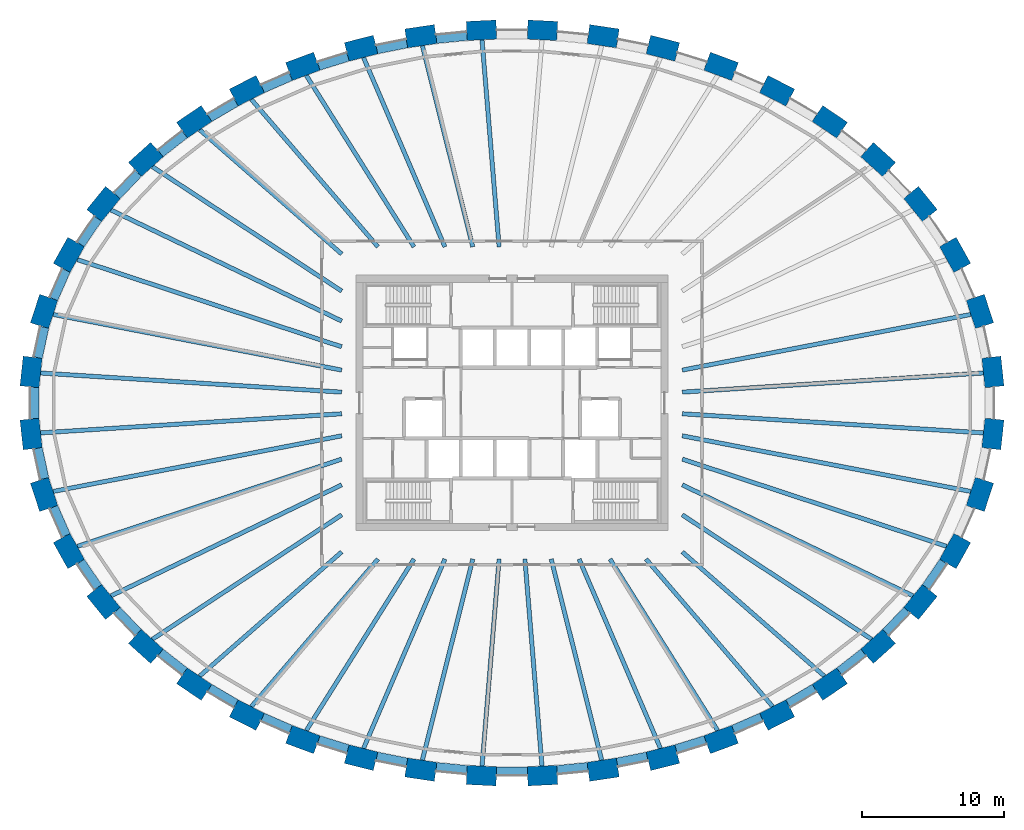
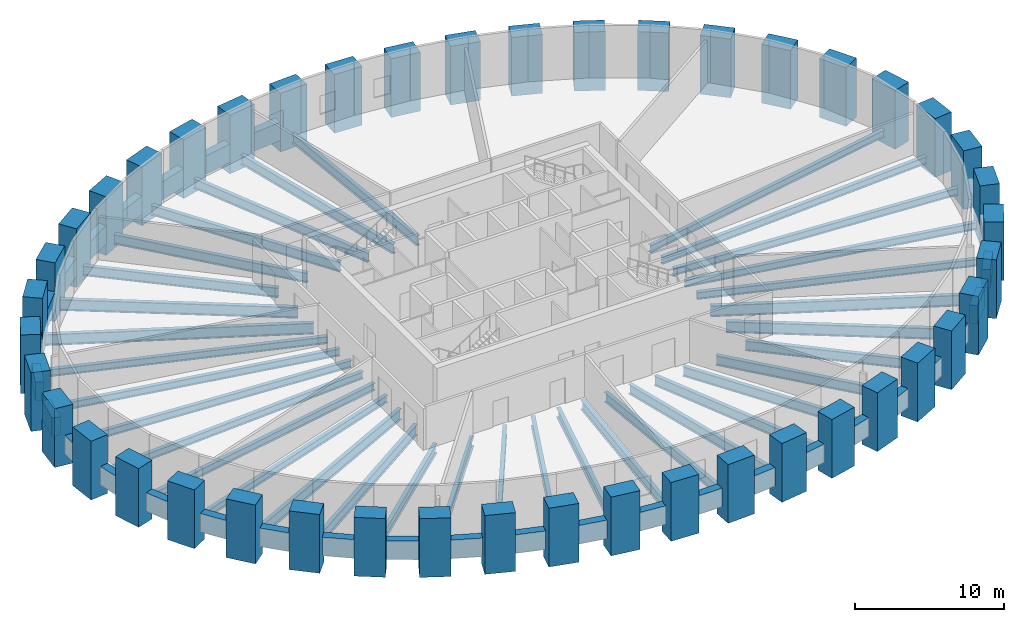
# One storey, part 1 of 8: 65 beams, 44 columns.
"""IFC4 building model written with IfcOpenShell, lengths in metres."""

from ifc_helpers import new_model, si_unit, direction, frame, origin, origin_2d, place, context, subcontext, project, spatial, rectangle, i_section, extrude, source, transform, mapped, material, material_profile, profile_set, type_object, element, save


model = new_model("IFC4")

# Units and contexts
model_context = context("Model", 3, precision=1e-05, world=origin(), true_north=direction((0.0, 1.0)))
body_context = subcontext(model_context, "Body", "Model", "MODEL_VIEW")
ifc_project = project(units=[si_unit("LENGTHUNIT", "METRE"), si_unit("AREAUNIT", "SQUARE_METRE"), si_unit("VOLUMEUNIT", "CUBIC_METRE"), si_unit("PLANEANGLEUNIT", "RADIAN"), si_unit("MASSUNIT", "GRAM", prefix="KILO")], contexts=[model_context])

# Site, building, storey
site_placement = place(None, origin())
site = spatial("IfcSite", under=ifc_project, at=site_placement, CompositionType="ELEMENT")
building_placement = place(site_placement, origin())
building = spatial("IfcBuilding", under=site, at=building_placement, Name="Embergate Tower", CompositionType="ELEMENT")
storey_placement = place(building_placement, frame((0.0, 0.0, 241.60009765625)))
storey = spatial("IfcBuildingStorey", under=building, at=storey_placement, Name="L55", CompositionType="ELEMENT", Elevation=241.60009765625)

# Columns
ifc_material_1 = material(Name="Concrete C60", Category="concrete")
ifc_material_profile_1 = material_profile(ifc_material_1, rectangle(XDim=1.35009765625, YDim=2.10009765625, at=origin_2d()), Name="RC 1350x2100")
ifc_profile_set_1 = profile_set([ifc_material_profile_1], Name="Concrete C60")
column_type = type_object("IfcColumnType", Name="Ring column RC 1350x2100 C60", PredefinedType="COLUMN", material=ifc_profile_set_1)
shared_shape_1 = source(origin(), body_context, "Body", "SweptSolid", [
    extrude(rectangle(XDim=1.35009765625, YDim=2.10009765625, at=origin_2d()), origin(), (0.0, 0.0, 1.0), 4.800048828125),
])
for number, where, z_axis, x_axis, name in (
    (1, (33.885986328125, 2.181884765625, -1.7001953125), (0.0, 0.0, 1.0), (0.99428589498, 0.106749983816, 0.0), "COL-L55-00"),
    (2, (32.968994140625, 6.445068359375, -1.7001953125), (0.0, 0.0, 1.0), (0.950754033697, 0.309946394413, 0.0), "COL-L55-01"),
    (3, (31.220947265625, 10.430908203125, -1.7001953125), (0.0, 0.0, 1.0), (0.873491969053, 0.486838556403, 0.0), "COL-L55-02"),
    (4, (28.781005859375, 14.02001953125, -1.7001953125), (0.0, 0.0, 1.0), (0.775925311702, 0.630824786022, 0.0), "COL-L55-03"),
    (5, (25.7939453125, 17.152099609375, -1.7001953125), (0.0, 0.0, 1.0), (0.669208424634, 0.74307475021, 0.0), "COL-L55-04"),
    (6, (22.389892578125, 19.80908203125, -1.7001953125), (0.0, 0.0, 1.0), (0.560393279442, 0.828226643109, 0.0), "COL-L55-05"),
    (7, (18.675048828125, 21.992919921875, -1.7001953125), (0.0, 0.0, 1.0), (0.453010512651, 0.891505174089, 0.0), "COL-L55-06"),
    (8, (14.73291015625, 23.717041015625, -1.7001953125), (0.0, 0.0, 1.0), (0.348343015724, 0.93736713373, 0.0), "COL-L55-07"),
    (9, (10.62890625, 24.9951171875, -1.7001953125), (0.0, 0.0, 1.0), (0.24650851817, 0.969140624713, 0.0), "COL-L55-08"),
    (10, (6.41796875, 25.840087890625, -1.7001953125), (0.0, 0.0, 1.0), (0.146929011949, 0.989147039346, 0.0), "COL-L55-09"),
    (11, (2.14599609375, 26.260009765625, -1.7001953125), (0.0, 0.0, 1.0), (0.048814904854, 0.998807841912, 0.0), "COL-L55-10"),
    (12, (-2.14599609375, 26.260009765625, -1.7001953125), (0.0, 0.0, 1.0), (-0.048814904854, 0.998807841912, 0.0), "COL-L55-11"),
    (13, (-6.41796875, 25.840087890625, -1.7001953125), (0.0, 0.0, 1.0), (-0.146929011949, 0.989147039346, 0.0), "COL-L55-12"),
    (14, (-10.62890625, 24.9951171875, -1.7001953125), (0.0, 0.0, 1.0), (-0.24650851817, 0.969140624713, 0.0), "COL-L55-13"),
    (15, (-14.73291015625, 23.717041015625, -1.7001953125), (0.0, 0.0, 1.0), (-0.348343015724, 0.93736713373, 0.0), "COL-L55-14"),
    (16, (-18.675048828125, 21.992919921875, -1.7001953125), (0.0, 0.0, 1.0), (-0.453010512651, 0.891505174089, 0.0), "COL-L55-15"),
    (17, (-22.389892578125, 19.80908203125, -1.7001953125), (0.0, 0.0, 1.0), (-0.560393279442, 0.828226643109, 0.0), "COL-L55-16"),
    (18, (-25.7939453125, 17.152099609375, -1.7001953125), (0.0, 0.0, 1.0), (-0.669208424634, 0.74307475021, 0.0), "COL-L55-17"),
    (19, (-28.781005859375, 14.02001953125, -1.7001953125), (0.0, 0.0, 1.0), (-0.775925311702, 0.630824786022, 0.0), "COL-L55-18"),
    (20, (-31.220947265625, 10.430908203125, -1.7001953125), (0.0, 0.0, 1.0), (-0.873491969053, 0.486838556403, 0.0), "COL-L55-19"),
    (21, (-32.968994140625, 6.445068359375, -1.7001953125), (0.0, 0.0, 1.0), (-0.950754033697, 0.309946394413, 0.0), "COL-L55-20"),
    (22, (-33.885986328125, 2.181884765625, -1.7001953125), (0.0, 0.0, 1.0), (-0.99428589498, 0.106749983816, 0.0), "COL-L55-21"),
    (23, (-33.885986328125, -2.181884765625, -1.7001953125), (0.0, 0.0, 1.0), (-0.99428589498, -0.106749983816, 0.0), "COL-L55-22"),
    (24, (-32.968994140625, -6.445068359375, -1.7001953125), (0.0, 0.0, 1.0), (-0.950754033697, -0.309946394413, 0.0), "COL-L55-23"),
    (25, (-31.220947265625, -10.430908203125, -1.7001953125), (0.0, 0.0, 1.0), (-0.873491969053, -0.486838556403, 0.0), "COL-L55-24"),
    (26, (-28.781005859375, -14.02001953125, -1.7001953125), (0.0, 0.0, 1.0), (-0.775925311702, -0.630824786022, 0.0), "COL-L55-25"),
    (27, (-25.7939453125, -17.152099609375, -1.7001953125), (0.0, 0.0, 1.0), (-0.669208424634, -0.74307475021, 0.0), "COL-L55-26"),
    (28, (-22.389892578125, -19.80908203125, -1.7001953125), (0.0, 0.0, 1.0), (-0.560393279442, -0.828226643109, 0.0), "COL-L55-27"),
    (29, (-18.675048828125, -21.992919921875, -1.7001953125), (0.0, 0.0, 1.0), (-0.453010512651, -0.891505174089, 0.0), "COL-L55-28"),
    (30, (-14.73291015625, -23.717041015625, -1.7001953125), (0.0, 0.0, 1.0), (-0.348343015724, -0.93736713373, 0.0), "COL-L55-29"),
    (31, (-10.62890625, -24.9951171875, -1.7001953125), (0.0, 0.0, 1.0), (-0.24650851817, -0.969140624713, 0.0), "COL-L55-30"),
    (32, (-6.41796875, -25.840087890625, -1.7001953125), (0.0, 0.0, 1.0), (-0.146929011949, -0.989147039346, 0.0), "COL-L55-31"),
    (33, (-2.14599609375, -26.260009765625, -1.7001953125), (0.0, 0.0, 1.0), (-0.048814904854, -0.998807841912, 0.0), "COL-L55-32"),
    (34, (2.14599609375, -26.260009765625, -1.7001953125), (0.0, 0.0, 1.0), (0.048814904854, -0.998807841912, 0.0), "COL-L55-33"),
    (35, (6.41796875, -25.840087890625, -1.7001953125), (0.0, 0.0, 1.0), (0.146929011949, -0.989147039346, 0.0), "COL-L55-34"),
    (36, (10.62890625, -24.9951171875, -1.7001953125), (0.0, 0.0, 1.0), (0.24650851817, -0.969140624713, 0.0), "COL-L55-35"),
    (37, (14.73291015625, -23.717041015625, -1.7001953125), (0.0, 0.0, 1.0), (0.348343015724, -0.93736713373, 0.0), "COL-L55-36"),
    (38, (18.675048828125, -21.992919921875, -1.7001953125), (0.0, 0.0, 1.0), (0.453010512651, -0.891505174089, 0.0), "COL-L55-37"),
    (39, (22.389892578125, -19.80908203125, -1.7001953125), (0.0, 0.0, 1.0), (0.560393279442, -0.828226643109, 0.0), "COL-L55-38"),
    (40, (25.7939453125, -17.152099609375, -1.7001953125), (0.0, 0.0, 1.0), (0.669208424634, -0.74307475021, 0.0), "COL-L55-39"),
    (41, (28.781005859375, -14.02001953125, -1.7001953125), (0.0, 0.0, 1.0), (0.775925311702, -0.630824786022, 0.0), "COL-L55-40"),
    (42, (31.220947265625, -10.430908203125, -1.7001953125), (0.0, 0.0, 1.0), (0.873491969053, -0.486838556403, 0.0), "COL-L55-41"),
    (43, (32.968994140625, -6.445068359375, -1.7001953125), (0.0, 0.0, 1.0), (0.950754033697, -0.309946394413, 0.0), "COL-L55-42"),
    (44, (33.885986328125, -2.181884765625, -1.7001953125), (0.0, 0.0, 1.0), (0.99428589498, -0.106749983816, 0.0), "COL-L55-43"),
):
    element("IfcColumn", number, at=place(storey_placement, frame(where, z_axis=z_axis, x_axis=x_axis)), inside=storey, type_object=column_type, Name=name, PredefinedType="COLUMN", context=body_context, shape_type="MappedRepresentation", body=[
        mapped(shared_shape_1, transform((0.0, 0.0, 0.0))),
    ])

# Beams
ifc_material_profile_2 = material_profile(ifc_material_1, rectangle(XDim=0.60009765625, YDim=1.5, at=origin_2d()), Name="RC 600x1500")
ifc_profile_set_2 = profile_set([ifc_material_profile_2], Name="Concrete C60")
beam_type_1 = type_object("IfcBeamType", Name="Spandrel beam RC 600x1500 C60", PredefinedType="BEAM", material=ifc_profile_set_2)
shared_shape_2 = source(origin(), body_context, "Body", "SweptSolid", [
    extrude(rectangle(XDim=0.60009765625, YDim=1.5, at=origin_2d()), origin(), (0.0, 0.0, 1.0), 2.19189453125),
])
for number, where, z_axis, x_axis, name in (
    (45, (-32.931884765625, 5.327880859375, 0.0), (-0.210403774282, -0.977614572195, 0.0), (0.977614572195, -0.210403774282, 0.0), "SPN-L55-20"),
    (46, (-33.39306640625, -3.18505859375, 0.0), (0.210403774282, -0.977614572195, 0.0), (0.977614572195, 0.210403774282, 0.0), "SPN-L55-22"),
):
    element("IfcBeam", number, at=place(storey_placement, frame(where, z_axis=z_axis, x_axis=x_axis)), inside=storey, type_object=beam_type_1, Name=name, PredefinedType="BEAM", context=body_context, shape_type="MappedRepresentation", body=[
        mapped(shared_shape_2, transform((0.0, 0.0, 0.0))),
    ])
shared_shape_3 = source(origin(), body_context, "Body", "SweptSolid", [
    extrude(rectangle(XDim=0.60009765625, YDim=1.5, at=origin_2d()), origin(), (0.0, 0.0, 1.0), 2.189697265625),
])
for number, where, z_axis, x_axis, name in (
    (47, (-31.406005859375, 9.33203125, 0.0), (-0.40183045861, -0.915714083398, 0.0), (0.915714083398, -0.40183045861, 0.0), "SPN-L55-19"),
    (48, (-32.285888671875, -7.326904296875, 0.0), (0.40183045861, -0.915714083398, 0.0), (0.915714083398, 0.40183045861, 0.0), "SPN-L55-23"),
):
    element("IfcBeam", number, at=place(storey_placement, frame(where, z_axis=z_axis, x_axis=x_axis)), inside=storey, type_object=beam_type_1, Name=name, PredefinedType="BEAM", context=body_context, shape_type="MappedRepresentation", body=[
        mapped(shared_shape_3, transform((0.0, 0.0, 0.0))),
    ])
shared_shape_4 = source(origin(), body_context, "Body", "SweptSolid", [
    extrude(rectangle(XDim=0.60009765625, YDim=1.5, at=origin_2d()), origin(), (0.0, 0.0, 1.0), 2.18408203125),
])
for number, where, z_axis, x_axis, name in (
    (49, (-29.160888671875, 12.97607421875, 0.0), (-0.562261100716, -0.826959766023, 0.0), (0.826959766023, -0.562261100716, 0.0), "SPN-L55-18"),
    (50, (-30.388916015625, -11.169921875, 0.0), (0.562261100716, -0.826959766023, 0.0), (0.826959766023, 0.562261100716, 0.0), "SPN-L55-24"),
    (51, (29.160888671875, -12.97607421875, 0.0), (0.562261100716, 0.826959766023, 0.0), (-0.826959766023, 0.562261100716, 0.0), "SPN-L55-40"),
):
    element("IfcBeam", number, at=place(storey_placement, frame(where, z_axis=z_axis, x_axis=x_axis)), inside=storey, type_object=beam_type_1, Name=name, PredefinedType="BEAM", context=body_context, shape_type="MappedRepresentation", body=[
        mapped(shared_shape_4, transform((0.0, 0.0, 0.0))),
    ])
shared_shape_5 = source(origin(), body_context, "Body", "SweptSolid", [
    extrude(rectangle(XDim=0.60009765625, YDim=1.5, at=origin_2d()), origin(), (0.0, 0.0, 1.0), 2.176513671875),
])
for number, where, z_axis, x_axis, name in (
    (52, (-26.323974609375, 16.172119140625, 0.0), (-0.690080799147, -0.723732333566, 0.0), (0.723732333566, -0.690080799147, 0.0), "SPN-L55-17"),
    (53, (-27.825927734375, -14.596923828125, 0.0), (0.690080799147, -0.723732333566, 0.0), (0.723732333566, 0.690080799147, 0.0), "SPN-L55-25"),
    (54, (26.323974609375, -16.172119140625, 0.0), (0.690080799147, 0.723732333566, 0.0), (-0.723732333566, 0.690080799147, 0.0), "SPN-L55-39"),
):
    element("IfcBeam", number, at=place(storey_placement, frame(where, z_axis=z_axis, x_axis=x_axis)), inside=storey, type_object=beam_type_1, Name=name, PredefinedType="BEAM", context=body_context, shape_type="MappedRepresentation", body=[
        mapped(shared_shape_5, transform((0.0, 0.0, 0.0))),
    ])
shared_shape_6 = source(origin(), body_context, "Body", "SweptSolid", [
    extrude(rectangle(XDim=0.60009765625, YDim=1.5, at=origin_2d()), origin(), (0.0, 0.0, 1.0), 2.17236328125),
])
for number, where, z_axis, x_axis, name in (
    (55, (-23.054931640625, 18.91796875, 0.0), (-0.788182809726, -0.615441190084, 0.0), (0.615441190084, -0.788182809726, 0.0), "SPN-L55-16"),
    (56, (-24.76708984375, -17.5810546875, 0.0), (0.788182809726, -0.615441190084, 0.0), (0.615441190084, 0.788182809726, 0.0), "SPN-L55-26"),
    (57, (23.054931640625, -18.91796875, 0.0), (0.788182809726, 0.615441190084, 0.0), (-0.615441190084, 0.788182809726, 0.0), "SPN-L55-38"),
):
    element("IfcBeam", number, at=place(storey_placement, frame(where, z_axis=z_axis, x_axis=x_axis)), inside=storey, type_object=beam_type_1, Name=name, PredefinedType="BEAM", context=body_context, shape_type="MappedRepresentation", body=[
        mapped(shared_shape_6, transform((0.0, 0.0, 0.0))),
    ])
shared_shape_7 = source(origin(), body_context, "Body", "SweptSolid", [
    extrude(rectangle(XDim=0.60009765625, YDim=1.5, at=origin_2d()), origin(), (0.0, 0.0, 1.0), 2.166748046875),
])
for number, where, z_axis, x_axis, name in (
    (58, (-19.43896484375, 21.179931640625, 0.0), (-0.862110858177, -0.506719713661, 0.0), (0.506719713661, -0.862110858177, 0.0), "SPN-L55-15"),
    (59, (-21.306884765625, -20.08203125, 0.0), (0.862110858177, -0.506719713661, 0.0), (0.506719713661, 0.862110858177, 0.0), "SPN-L55-27"),
    (60, (19.43896484375, -21.179931640625, 0.0), (0.862110858177, 0.506719713661, 0.0), (-0.506719713661, 0.862110858177, 0.0), "SPN-L55-37"),
):
    element("IfcBeam", number, at=place(storey_placement, frame(where, z_axis=z_axis, x_axis=x_axis)), inside=storey, type_object=beam_type_1, Name=name, PredefinedType="BEAM", context=body_context, shape_type="MappedRepresentation", body=[
        mapped(shared_shape_7, transform((0.0, 0.0, 0.0))),
    ])
shared_shape_8 = source(origin(), body_context, "Body", "SweptSolid", [
    extrude(rectangle(XDim=0.60009765625, YDim=1.5, at=origin_2d()), origin(), (0.0, 0.0, 1.0), 2.16357421875),
])
for number, where, z_axis, x_axis, name in (
    (61, (-15.5869140625, 23.0009765625, 0.0), (-0.916201358039, -0.400718194654, 0.0), (0.400718194654, -0.916201358039, 0.0), "SPN-L55-14"),
    (62, (-17.569091796875, -22.134033203125, 0.0), (0.916201358039, -0.400718194654, 0.0), (0.400718194654, 0.916201358039, 0.0), "SPN-L55-28"),
    (63, (15.5869140625, -23.0009765625, 0.0), (0.916201358039, 0.400718194654, 0.0), (-0.400718194654, 0.916201358039, 0.0), "SPN-L55-36"),
):
    element("IfcBeam", number, at=place(storey_placement, frame(where, z_axis=z_axis, x_axis=x_axis)), inside=storey, type_object=beam_type_1, Name=name, PredefinedType="BEAM", context=body_context, shape_type="MappedRepresentation", body=[
        mapped(shared_shape_8, transform((0.0, 0.0, 0.0))),
    ])
shared_shape_9 = source(origin(), body_context, "Body", "SweptSolid", [
    extrude(rectangle(XDim=0.60009765625, YDim=1.5, at=origin_2d()), origin(), (0.0, 0.0, 1.0), 2.161865234375),
])
for number, where, z_axis, x_axis, name in (
    (64, (-11.554931640625, 24.3779296875, 0.0), (-0.954764896729, -0.297361719078, 0.0), (0.297361719078, -0.954764896729, 0.0), "SPN-L55-13"),
    (65, (-13.618896484375, -23.735107421875, 0.0), (0.954764896729, -0.297361719078, 0.0), (0.297361719078, 0.954764896729, 0.0), "SPN-L55-29"),
    (66, (11.554931640625, -24.3779296875, 0.0), (0.954764896729, 0.297361719078, 0.0), (-0.297361719078, 0.954764896729, 0.0), "SPN-L55-35"),
):
    element("IfcBeam", number, at=place(storey_placement, frame(where, z_axis=z_axis, x_axis=x_axis)), inside=storey, type_object=beam_type_1, Name=name, PredefinedType="BEAM", context=body_context, shape_type="MappedRepresentation", body=[
        mapped(shared_shape_9, transform((0.0, 0.0, 0.0))),
    ])
shared_shape_10 = source(origin(), body_context, "Body", "SweptSolid", [
    extrude(rectangle(XDim=0.60009765625, YDim=1.5, at=origin_2d()), origin(), (0.0, 0.0, 1.0), 2.16015625),
])
for number, where, z_axis, x_axis, name in (
    (67, (-7.403076171875, 25.322021484375, 0.0), (-0.980450051005, -0.196768131274, 0.0), (0.196768131274, -0.980450051005, 0.0), "SPN-L55-12"),
    (68, (-9.52099609375, -24.89697265625, 0.0), (0.980450051005, -0.196768131274, 0.0), (0.196768131274, 0.980450051005, 0.0), "SPN-L55-30"),
    (69, (7.403076171875, -25.322021484375, 0.0), (0.980450051005, 0.196768131274, 0.0), (-0.196768131274, 0.980450051005, 0.0), "SPN-L55-34"),
):
    element("IfcBeam", number, at=place(storey_placement, frame(where, z_axis=z_axis, x_axis=x_axis)), inside=storey, type_object=beam_type_1, Name=name, PredefinedType="BEAM", context=body_context, shape_type="MappedRepresentation", body=[
        mapped(shared_shape_10, transform((0.0, 0.0, 0.0))),
    ])
shared_shape_11 = source(origin(), body_context, "Body", "SweptSolid", [
    extrude(rectangle(XDim=0.60009765625, YDim=1.5, at=origin_2d()), origin(), (0.0, 0.0, 1.0), 2.1591796875),
])
for number, where, z_axis, x_axis, name in (
    (70, (-3.177001953125, 25.843017578125, 0.0), (-0.995216892722, -0.09769000174, 0.0), (0.09769000174, -0.995216892722, 0.0), "SPN-L55-11"),
    (71, (-5.325927734375, -25.632080078125, 0.0), (0.995216892722, -0.09769000174, 0.0), (0.09769000174, 0.995216892722, 0.0), "SPN-L55-31"),
    (72, (3.177001953125, -25.843017578125, 0.0), (0.995216892722, 0.09769000174, 0.0), (-0.09769000174, 0.995216892722, 0.0), "SPN-L55-33"),
):
    element("IfcBeam", number, at=place(storey_placement, frame(where, z_axis=z_axis, x_axis=x_axis)), inside=storey, type_object=beam_type_1, Name=name, PredefinedType="BEAM", context=body_context, shape_type="MappedRepresentation", body=[
        mapped(shared_shape_11, transform((0.0, 0.0, 0.0))),
    ])
shared_shape_12 = source(origin(), body_context, "Body", "SweptSolid", [
    extrude(rectangle(XDim=0.60009765625, YDim=1.5, at=origin_2d()), origin(), (0.0, 0.0, 1.0), 2.158203125),
])
beam_1_placement = place(storey_placement, frame((-1.0791015625, -25.946044921875, 0.0), z_axis=(1.0, 0.0, 0.0), x_axis=(0.0, 1.0, 0.0)))
element("IfcBeam", 73, at=beam_1_placement, inside=storey, type_object=beam_type_1, Name="SPN-L55-32", PredefinedType="BEAM", context=body_context, shape_type="MappedRepresentation", body=[
    mapped(shared_shape_12, transform((0.0, 0.0, 0.0))),
])
shared_shape_13 = source(origin(), body_context, "Body", "SweptSolid", [
    extrude(rectangle(XDim=0.60009765625, YDim=1.5, at=origin_2d()), origin(), (0.0, 0.0, 1.0), 2.1982421875),
])
beam_2_placement = place(storey_placement, frame((-33.635009765625, 1.09912109375, 0.0), z_axis=(0.0, -1.0, 0.0), x_axis=(1.0, 0.0, 0.0)))
element("IfcBeam", 74, at=beam_2_placement, inside=storey, type_object=beam_type_1, Name="SPN-L55-21", PredefinedType="BEAM", context=body_context, shape_type="MappedRepresentation", body=[
    mapped(shared_shape_13, transform((0.0, 0.0, 0.0))),
])
ifc_material_2 = material(Name="Steel Q355B", Category="steel")
ifc_material_profile_3 = material_profile(ifc_material_2, i_section(OverallWidth=0.300048828125, OverallDepth=0.587890625, WebThickness=0.011962890625, FlangeThickness=0.02001953125, FilletRadius=0.012939453125, at=origin_2d()), Name="HM 588x300x12x20")
ifc_profile_set_3 = profile_set([ifc_material_profile_3], Name="Steel Q355 grade B")
beam_type_2 = type_object("IfcBeamType", Name="Plant girder HM 588x300x12x20", PredefinedType="BEAM", material=ifc_profile_set_3)
shared_shape_14 = source(origin(), body_context, "Body", "SweptSolid", [
    extrude(i_section(OverallWidth=0.300048828125, OverallDepth=0.587890625, WebThickness=0.011962890625, FlangeThickness=0.02001953125, FilletRadius=0.012939453125, at=origin_2d()), origin(), (0.0, 0.0, 1.0), 21.2578125),
])
for number, where, z_axis, x_axis, name in (
    (75, (33.215087890625, 2.110107421875, -0.794189453125), (-0.997987015835, -0.063418579484, 0.0), (0.063418579484, -0.997987015835, 0.0), "GIR-L55-00"),
    (76, (-33.215087890625, 2.110107421875, -0.794189453125), (0.997987015835, -0.063418579484, 0.0), (0.063418579484, 0.997987015835, 0.0), "GIR-L55-21"),
    (77, (-33.215087890625, -2.110107421875, -0.794189453125), (0.997987015835, 0.063418579484, 0.0), (-0.063418579484, 0.997987015835, 0.0), "GIR-L55-22"),
    (78, (33.215087890625, -2.110107421875, -0.794189453125), (-0.997987015835, 0.063418579484, 0.0), (-0.063418579484, -0.997987015835, 0.0), "GIR-L55-43"),
):
    element("IfcBeam", number, at=place(storey_placement, frame(where, z_axis=z_axis, x_axis=x_axis)), inside=storey, type_object=beam_type_2, Name=name, PredefinedType="BEAM", context=body_context, shape_type="MappedRepresentation", body=[
        mapped(shared_shape_14, transform((0.0, 0.0, 0.0))),
    ])
shared_shape_15 = source(origin(), body_context, "Body", "SweptSolid", [
    extrude(i_section(OverallWidth=0.300048828125, OverallDepth=0.587890625, WebThickness=0.011962890625, FlangeThickness=0.02001953125, FilletRadius=0.012939453125, at=origin_2d()), origin(), (0.0, 0.0, 1.0), 20.70166015625),
])
for number, where, z_axis, x_axis, name in (
    (79, (32.326904296875, 6.236083984375, -0.794189453125), (-0.981897688755, -0.189412060907, 0.0), (0.189412060907, -0.981897688755, 0.0), "GIR-L55-01"),
    (80, (-32.326904296875, 6.236083984375, -0.794189453125), (0.981897688755, -0.189412060907, 0.0), (0.189412060907, 0.981897688755, 0.0), "GIR-L55-20"),
    (81, (-32.326904296875, -6.236083984375, -0.794189453125), (0.981897688755, 0.189412060907, 0.0), (-0.189412060907, 0.981897688755, 0.0), "GIR-L55-23"),
    (82, (32.326904296875, -6.236083984375, -0.794189453125), (-0.981897688755, 0.189412060907, 0.0), (-0.189412060907, -0.981897688755, 0.0), "GIR-L55-42"),
):
    element("IfcBeam", number, at=place(storey_placement, frame(where, z_axis=z_axis, x_axis=x_axis)), inside=storey, type_object=beam_type_2, Name=name, PredefinedType="BEAM", context=body_context, shape_type="MappedRepresentation", body=[
        mapped(shared_shape_15, transform((0.0, 0.0, 0.0))),
    ])
shared_shape_16 = source(origin(), body_context, "Body", "SweptSolid", [
    extrude(i_section(OverallWidth=0.300048828125, OverallDepth=0.587890625, WebThickness=0.011962890625, FlangeThickness=0.02001953125, FilletRadius=0.012939453125, at=origin_2d()), origin(), (0.0, 0.0, 1.0), 19.617919921875),
])
for number, where, z_axis, x_axis, name in (
    (83, (-30.631103515625, 10.10205078125, -0.794189453125), (0.949692661874, -0.313183409494, 0.0), (0.313183409494, 0.949692661874, 0.0), "GIR-L55-19"),
    (84, (-30.631103515625, -10.10205078125, -0.794189453125), (0.949692661874, 0.313183409494, 0.0), (-0.313183409494, 0.949692661874, 0.0), "GIR-L55-24"),
    (85, (30.631103515625, -10.10205078125, -0.794189453125), (-0.949692661874, 0.313183409494, 0.0), (-0.313183409494, -0.949692661874, 0.0), "GIR-L55-41"),
):
    element("IfcBeam", number, at=place(storey_placement, frame(where, z_axis=z_axis, x_axis=x_axis)), inside=storey, type_object=beam_type_2, Name=name, PredefinedType="BEAM", context=body_context, shape_type="MappedRepresentation", body=[
        mapped(shared_shape_16, transform((0.0, 0.0, 0.0))),
    ])
ifc_material_profile_4 = material_profile(ifc_material_2, i_section(OverallWidth=0.300048828125, OverallDepth=0.89990234375, WebThickness=0.01611328125, FlangeThickness=0.028076171875, FilletRadius=0.028076171875, at=origin_2d()), Name="HN 900x300x16x28")
ifc_profile_set_4 = profile_set([ifc_material_profile_4], Name="Steel Q355 grade B")
beam_type_3 = type_object("IfcBeamType", Name="Plant girder HN 900x300x16x28", PredefinedType="BEAM", material=ifc_profile_set_4)
shared_shape_17 = source(origin(), body_context, "Body", "SweptSolid", [
    extrude(i_section(OverallWidth=0.300048828125, OverallDepth=0.89990234375, WebThickness=0.01611328125, FlangeThickness=0.028076171875, FilletRadius=0.028076171875, at=origin_2d()), origin(), (0.0, 0.0, 1.0), 18.04052734375),
])
for number, where, z_axis, x_axis, name in (
    (86, (-28.257080078125, 13.593994140625, -0.9501953125), (0.901141111335, -0.433525890186, 0.0), (0.433525890186, 0.901141111335, 0.0), "GIR-L55-18"),
    (87, (-28.257080078125, -13.593994140625, -0.9501953125), (0.901141111335, 0.433525890186, 0.0), (-0.433525890186, 0.901141111335, 0.0), "GIR-L55-25"),
    (88, (28.257080078125, -13.593994140625, -0.9501953125), (-0.901141111335, 0.433525890186, 0.0), (-0.433525890186, -0.901141111335, 0.0), "GIR-L55-40"),
):
    element("IfcBeam", number, at=place(storey_placement, frame(where, z_axis=z_axis, x_axis=x_axis)), inside=storey, type_object=beam_type_3, Name=name, PredefinedType="BEAM", context=body_context, shape_type="MappedRepresentation", body=[
        mapped(shared_shape_17, transform((0.0, 0.0, 0.0))),
    ])
shared_shape_18 = source(origin(), body_context, "Body", "SweptSolid", [
    extrude(i_section(OverallWidth=0.300048828125, OverallDepth=0.89990234375, WebThickness=0.01611328125, FlangeThickness=0.028076171875, FilletRadius=0.028076171875, at=origin_2d()), origin(), (0.0, 0.0, 1.0), 15.964111328125),
])
for number, where, z_axis, x_axis, name in (
    (89, (-25.342041015625, 16.64990234375, -0.9501953125), (0.835756011606, -0.549100982575, 0.0), (0.549100982575, 0.835756011606, 0.0), "GIR-L55-17"),
    (90, (-25.342041015625, -16.64990234375, -0.9501953125), (0.835756011606, 0.549100982575, 0.0), (-0.549100982575, 0.835756011606, 0.0), "GIR-L55-26"),
    (91, (25.342041015625, -16.64990234375, -0.9501953125), (-0.835756011606, 0.549100982575, 0.0), (-0.549100982575, -0.835756011606, 0.0), "GIR-L55-39"),
):
    element("IfcBeam", number, at=place(storey_placement, frame(where, z_axis=z_axis, x_axis=x_axis)), inside=storey, type_object=beam_type_3, Name=name, PredefinedType="BEAM", context=body_context, shape_type="MappedRepresentation", body=[
        mapped(shared_shape_18, transform((0.0, 0.0, 0.0))),
    ])
ifc_material_profile_5 = material_profile(ifc_material_2, i_section(OverallWidth=0.300048828125, OverallDepth=0.800048828125, WebThickness=0.013916015625, FlangeThickness=0.02587890625, FilletRadius=0.028076171875, at=origin_2d()), Name="HN 800x300x14x26")
ifc_profile_set_5 = profile_set([ifc_material_profile_5], Name="Steel Q355 grade B")
beam_type_4 = type_object("IfcBeamType", Name="Plant girder HN 800x300x14x26", PredefinedType="BEAM", material=ifc_profile_set_5)
shared_shape_19 = source(origin(), body_context, "Body", "SweptSolid", [
    extrude(i_section(OverallWidth=0.300048828125, OverallDepth=0.800048828125, WebThickness=0.013916015625, FlangeThickness=0.02587890625, FilletRadius=0.028076171875, at=origin_2d()), origin(), (0.0, 0.0, 1.0), 13.30078125),
])
for number, where, z_axis, x_axis, name in (
    (92, (-22.011962890625, 19.25, -0.900146484375), (0.752739271947, -0.658318759013, 0.0), (0.658318759013, 0.752739271947, 0.0), "GIR-L55-16"),
    (93, (-22.011962890625, -19.25, -0.900146484375), (0.752739271947, 0.658318759013, 0.0), (-0.658318759013, 0.752739271947, 0.0), "GIR-L55-27"),
    (94, (22.011962890625, -19.25, -0.900146484375), (-0.752739271947, 0.658318759013, 0.0), (-0.658318759013, -0.752739271947, 0.0), "GIR-L55-38"),
):
    element("IfcBeam", number, at=place(storey_placement, frame(where, z_axis=z_axis, x_axis=x_axis)), inside=storey, type_object=beam_type_4, Name=name, PredefinedType="BEAM", context=body_context, shape_type="MappedRepresentation", body=[
        mapped(shared_shape_19, transform((0.0, 0.0, 0.0))),
    ])
shared_shape_20 = source(origin(), body_context, "Body", "SweptSolid", [
    extrude(i_section(OverallWidth=0.300048828125, OverallDepth=0.800048828125, WebThickness=0.013916015625, FlangeThickness=0.02587890625, FilletRadius=0.028076171875, at=origin_2d()), origin(), (0.0, 0.0, 1.0), 13.696533203125),
])
for number, where, z_axis, x_axis, name in (
    (95, (-18.368896484375, 21.39111328125, -0.900146484375), (0.651472240616, -0.758672471958, 0.0), (0.758672471958, 0.651472240616, 0.0), "GIR-L55-15"),
    (96, (-18.368896484375, -21.39111328125, -0.900146484375), (0.651472240616, 0.758672471958, 0.0), (-0.758672471958, 0.651472240616, 0.0), "GIR-L55-28"),
    (97, (18.368896484375, -21.39111328125, -0.900146484375), (-0.651472240616, 0.758672471958, 0.0), (-0.758672471958, -0.651472240616, 0.0), "GIR-L55-37"),
):
    element("IfcBeam", number, at=place(storey_placement, frame(where, z_axis=z_axis, x_axis=x_axis)), inside=storey, type_object=beam_type_4, Name=name, PredefinedType="BEAM", context=body_context, shape_type="MappedRepresentation", body=[
        mapped(shared_shape_20, transform((0.0, 0.0, 0.0))),
    ])
shared_shape_21 = source(origin(), body_context, "Body", "SweptSolid", [
    extrude(i_section(OverallWidth=0.300048828125, OverallDepth=0.800048828125, WebThickness=0.013916015625, FlangeThickness=0.02587890625, FilletRadius=0.028076171875, at=origin_2d()), origin(), (0.0, 0.0, 1.0), 14.27001953125),
])
for number, where, z_axis, x_axis, name in (
    (98, (-14.498046875, 23.083984375, -0.900146484375), (0.5318922611, -0.846812034977, 0.0), (0.846812034977, 0.5318922611, 0.0), "GIR-L55-14"),
    (99, (-14.498046875, -23.083984375, -0.900146484375), (0.5318922611, 0.846812034977, 0.0), (-0.846812034977, 0.5318922611, 0.0), "GIR-L55-29"),
    (100, (14.498046875, -23.083984375, -0.900146484375), (-0.5318922611, 0.846812034977, 0.0), (-0.846812034977, -0.5318922611, 0.0), "GIR-L55-36"),
):
    element("IfcBeam", number, at=place(storey_placement, frame(where, z_axis=z_axis, x_axis=x_axis)), inside=storey, type_object=beam_type_4, Name=name, PredefinedType="BEAM", context=body_context, shape_type="MappedRepresentation", body=[
        mapped(shared_shape_21, transform((0.0, 0.0, 0.0))),
    ])
shared_shape_22 = source(origin(), body_context, "Body", "SweptSolid", [
    extrude(i_section(OverallWidth=0.300048828125, OverallDepth=0.800048828125, WebThickness=0.013916015625, FlangeThickness=0.02587890625, FilletRadius=0.028076171875, at=origin_2d()), origin(), (0.0, 0.0, 1.0), 14.521484375),
])
for number, where, z_axis, x_axis, name in (
    (101, (-10.462890625, 24.341064453125, -0.900146484375), (0.394923459822, -0.918714025626, 0.0), (0.918714025626, 0.394923459822, 0.0), "GIR-L55-13"),
    (102, (-10.462890625, -24.341064453125, -0.900146484375), (0.394923459822, 0.918714025626, 0.0), (-0.918714025626, 0.394923459822, 0.0), "GIR-L55-30"),
    (103, (10.462890625, -24.341064453125, -0.900146484375), (-0.394923459822, 0.918714025626, 0.0), (-0.918714025626, -0.394923459822, 0.0), "GIR-L55-35"),
):
    element("IfcBeam", number, at=place(storey_placement, frame(where, z_axis=z_axis, x_axis=x_axis)), inside=storey, type_object=beam_type_4, Name=name, PredefinedType="BEAM", context=body_context, shape_type="MappedRepresentation", body=[
        mapped(shared_shape_22, transform((0.0, 0.0, 0.0))),
    ])
shared_shape_23 = source(origin(), body_context, "Body", "SweptSolid", [
    extrude(i_section(OverallWidth=0.300048828125, OverallDepth=0.800048828125, WebThickness=0.013916015625, FlangeThickness=0.02587890625, FilletRadius=0.028076171875, at=origin_2d()), origin(), (0.0, 0.0, 1.0), 14.612060546875),
])
for number, where, z_axis, x_axis, name in (
    (104, (-6.319091796875, 25.172119140625, -0.900146484375), (0.24350654977, -0.969899252613, 0.0), (0.969899252613, 0.24350654977, 0.0), "GIR-L55-12"),
    (105, (-6.319091796875, -25.172119140625, -0.900146484375), (0.24350654977, 0.969899252613, 0.0), (-0.969899252613, 0.24350654977, 0.0), "GIR-L55-31"),
    (106, (6.319091796875, -25.172119140625, -0.900146484375), (-0.24350654977, 0.969899252613, 0.0), (-0.969899252613, -0.24350654977, 0.0), "GIR-L55-34"),
):
    element("IfcBeam", number, at=place(storey_placement, frame(where, z_axis=z_axis, x_axis=x_axis)), inside=storey, type_object=beam_type_4, Name=name, PredefinedType="BEAM", context=body_context, shape_type="MappedRepresentation", body=[
        mapped(shared_shape_23, transform((0.0, 0.0, 0.0))),
    ])
shared_shape_24 = source(origin(), body_context, "Body", "SweptSolid", [
    extrude(i_section(OverallWidth=0.300048828125, OverallDepth=0.800048828125, WebThickness=0.013916015625, FlangeThickness=0.02587890625, FilletRadius=0.028076171875, at=origin_2d()), origin(), (0.0, 0.0, 1.0), 14.6357421875),
])
for number, where, z_axis, x_axis, name in (
    (107, (-2.113037109375, 25.5859375, -0.900146484375), (0.082338634272, -0.996604409636, 0.0), (0.996604409636, 0.082338634272, 0.0), "GIR-L55-11"),
    (108, (-2.113037109375, -25.5859375, -0.900146484375), (0.082338634272, 0.996604409636, 0.0), (-0.996604409636, 0.082338634272, 0.0), "GIR-L55-32"),
    (109, (2.113037109375, -25.5859375, -0.900146484375), (-0.082338634272, 0.996604409636, 0.0), (-0.996604409636, -0.082338634272, 0.0), "GIR-L55-33"),
):
    element("IfcBeam", number, at=place(storey_placement, frame(where, z_axis=z_axis, x_axis=x_axis)), inside=storey, type_object=beam_type_4, Name=name, PredefinedType="BEAM", context=body_context, shape_type="MappedRepresentation", body=[
        mapped(shared_shape_24, transform((0.0, 0.0, 0.0))),
    ])

save(model, "model.ifc")
